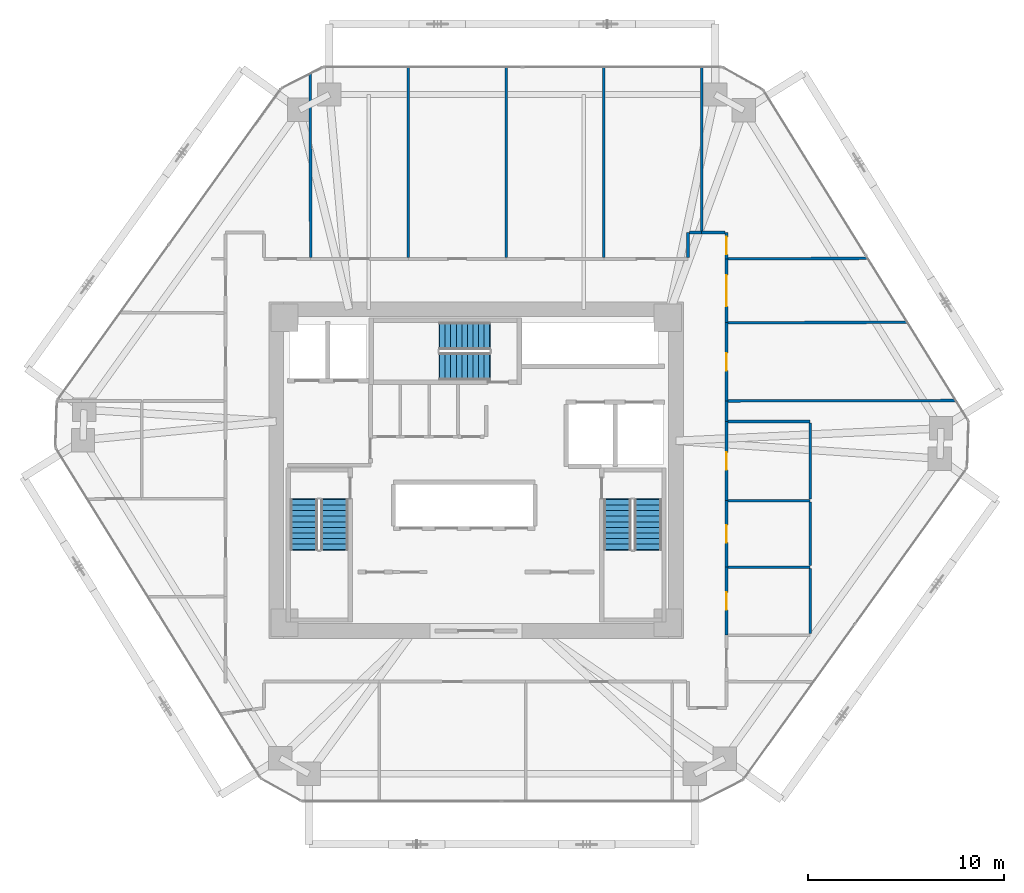
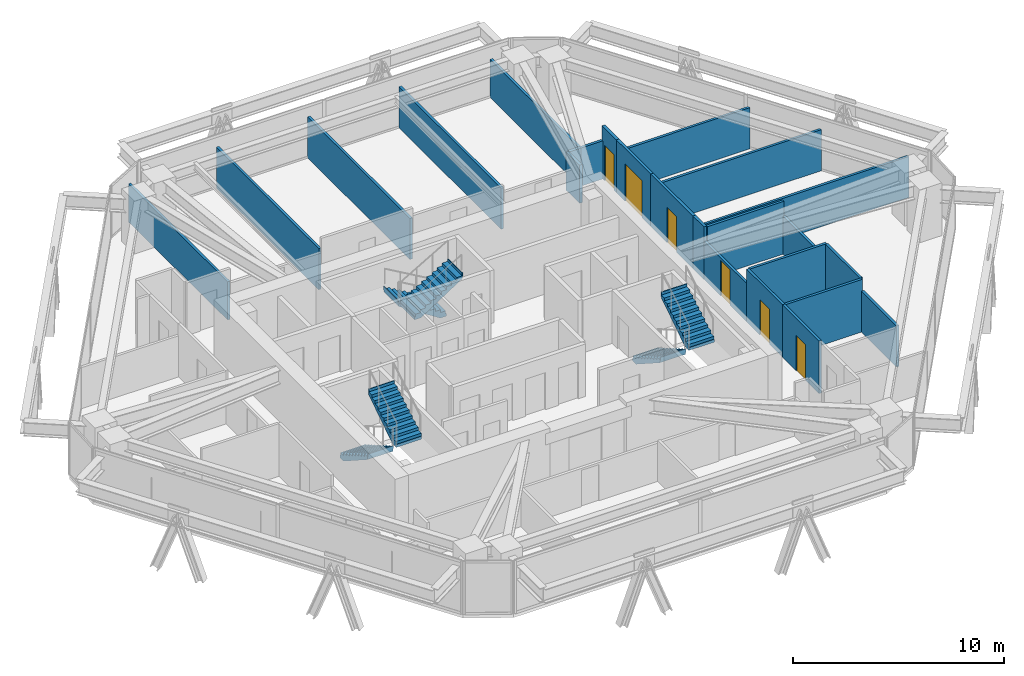
# One storey, part 15 of 16: 24 walls, 6 doors, 6 stair flights, 6 openings, 3 elements without a shape of their own.
"""IFC4 building model written with IfcOpenShell, lengths in metres."""

from ifc_helpers import new_model, si_unit, direction, frame, frame_2d, origin, place, context, subcontext, project, spatial, polyline, rectangle, outline, extrude, source, transform, mapped, material, layer, layer_set, type_object, type_shapes, element, fill, aggregate, save


model = new_model("IFC4")

# Units and contexts
model_context = context("Model", 3, precision=1e-05, world=origin(), true_north=direction((0.0, 1.0)))
body_context = subcontext(model_context, "Body", "Model", "MODEL_VIEW")
ifc_project = project(units=[si_unit("LENGTHUNIT", "METRE"), si_unit("AREAUNIT", "SQUARE_METRE"), si_unit("VOLUMEUNIT", "CUBIC_METRE"), si_unit("PLANEANGLEUNIT", "RADIAN"), si_unit("MASSUNIT", "GRAM", prefix="KILO")], contexts=[model_context])

# Site, building, storey
site_placement = place(None, origin())
site = spatial("IfcSite", under=ifc_project, at=site_placement, CompositionType="ELEMENT")
building_placement = place(site_placement, origin())
building = spatial("IfcBuilding", under=site, at=building_placement, Name="Durnholm Broadcast Tower", CompositionType="ELEMENT")
storey_placement = place(building_placement, frame((0.0, 0.0, 123.89990234375)))
storey = spatial("IfcBuildingStorey", under=building, at=storey_placement, Name="L33", CompositionType="ELEMENT", Elevation=123.89990234375)

# Walls
ifc_material_1 = material(Name="Gypsum Metal Stud Partition", Category="concrete")
ifc_layer_1 = layer(ifc_material_1, 0.135009765625)
ifc_layer_set_1 = layer_set([ifc_layer_1], Name="Gypsum Metal Stud Partition")
wall_type_1 = type_object("IfcWallType", Name="WALL-PART-135", PredefinedType="PARTITIONING", material=ifc_layer_set_1)
wall_1_placement = place(storey_placement, frame((-8.478271484375, 20.28564453125, 0.0), z_axis=(0.0, 0.0, 1.0), x_axis=(0.001922623691, -0.999998151757, 0.0)))
element("IfcWall", 1, at=wall_1_placement, inside=storey, type_object=wall_type_1, Name="L33 room dividing partition 11.12", PredefinedType="PARTITIONING", context=body_context, shape_type="SweptSolid", body=[
    extrude(rectangle(XDim=9.396728515625, YDim=0.135009765625, at=frame_2d((4.6982421875, 0.0))), origin(), (0.0, 0.0, 1.0), 2.212158203125),
])
for number, where, z_axis, x_axis, name in (
    (2, (-3.4599609375, 20.614990234375, 0.0), (0.0, 0.0, 1.0), (0.0, -1.0, 0.0), "L33 room dividing partition 12.13"),
    (3, (1.5400390625, 20.614990234375, 0.0), (0.0, 0.0, 1.0), (0.0, -1.0, 0.0), "L33 room dividing partition 13.14"),
    (4, (6.5400390625, 20.614990234375, 0.0), (0.0, 0.0, 1.0), (0.0, -1.0, 0.0), "L33 room dividing partition 14.15"),
):
    element("IfcWall", number, at=place(storey_placement, frame(where, z_axis=z_axis, x_axis=x_axis)), inside=storey, type_object=wall_type_1, Name=name, PredefinedType="PARTITIONING", context=body_context, shape_type="SweptSolid", body=[
        extrude(rectangle(XDim=9.72607421875, YDim=0.135009765625, at=frame_2d((4.863037109375, 0.0))), origin(), (0.0, 0.0, 1.0), 2.380126953125),
    ])
wall_2_placement = place(storey_placement, frame((11.5400390625, 20.614990234375, 0.0), z_axis=(0.0, 0.0, 1.0), x_axis=(0.0, -1.0, 0.0)))
element("IfcWall", 5, at=wall_2_placement, inside=storey, type_object=wall_type_1, Name="L33 room dividing partition 15.16", PredefinedType="PARTITIONING", context=body_context, shape_type="SweptSolid", body=[
    extrude(rectangle(XDim=8.3759765625, YDim=0.135009765625, at=frame_2d((4.18798828125, 0.0))), origin(), (0.0, 0.0, 1.0), 2.212158203125),
])
wall_3_placement = place(storey_placement, frame((20.03515625, 10.8310546875, 0.0), z_axis=(0.0, 0.0, 1.0), x_axis=(-0.999995783715, -0.002903885812, 0.0)))
element("IfcWall", 6, at=wall_3_placement, inside=storey, type_object=wall_type_1, Name="L33 room dividing partition 16.29", PredefinedType="PARTITIONING", context=body_context, shape_type="SweptSolid", body=[
    extrude(rectangle(XDim=7.146240234375, YDim=0.135009765625, at=frame_2d((3.5732421875, 0.0))), origin(), (0.0, 0.0, 1.0), 2.380126953125),
])
wall_4_placement = place(storey_placement, frame((12.888916015625, 3.5400390625, 0.0), z_axis=(0.0, 0.0, 1.0), x_axis=(0.999998377575, 0.001801345995, 0.0)))
element("IfcWall", 7, at=wall_4_placement, inside=storey, type_object=wall_type_1, Name="L33 room dividing partition 27.28", PredefinedType="PARTITIONING", context=body_context, shape_type="SweptSolid", body=[
    extrude(rectangle(XDim=11.65576171875, YDim=0.135009765625, at=frame_2d((5.827880859375, 0.0))), origin(), (0.0, 0.0, 1.0), 2.380126953125),
])
wall_5_placement = place(storey_placement, frame((12.888916015625, 7.540283203125, 0.0), z_axis=(0.0, 0.0, 1.0), x_axis=(0.99999744191, 0.002261895808, 0.0)))
element("IfcWall", 8, at=wall_5_placement, inside=storey, type_object=wall_type_1, Name="L33 room dividing partition 28.29", PredefinedType="PARTITIONING", context=body_context, shape_type="SweptSolid", body=[
    extrude(rectangle(XDim=9.174560546875, YDim=0.135009765625, at=frame_2d((4.58740234375, 0.0))), origin(), (0.0, 0.0, 1.0), 2.380126953125),
])
ifc_material_2 = material(Name="Acoustic Gypsum Stud Partition", Category="concrete")
ifc_layer_2 = layer(ifc_material_2, 0.14990234375)
ifc_layer_set_2 = layer_set([ifc_layer_2], Name="Acoustic Gypsum Stud Partition")
wall_type_2 = type_object("IfcWallType", Name="WALL-PART-150", PredefinedType="PARTITIONING", material=ifc_layer_set_2)
wall_6_placement = place(storey_placement, frame((10.840087890625, 12.159912109375, 0.0), z_axis=(0.0, 0.0, 1.0), x_axis=(0.0, -1.0, 0.0)))
element("IfcWall", 9, at=wall_6_placement, inside=storey, type_object=wall_type_2, Name="L33 Acoustic Meeting Room 1 corridor partition", PredefinedType="PARTITIONING", context=body_context, shape_type="SweptSolid", body=[
    extrude(rectangle(XDim=1.27099609375, YDim=0.14990234375, at=frame_2d((0.635498046875, 0.0))), origin(), (0.0, 0.0, 1.0), 2.212158203125),
])
wall_7_placement = place(storey_placement, frame((11.5400390625, 12.159912109375, 0.0), z_axis=(0.0, 0.0, 1.0), x_axis=(-1.0, 0.0, 0.0)))
element("IfcWall", 10, at=wall_7_placement, inside=storey, type_object=wall_type_2, Name="L33 Acoustic Meeting Room 1 corridor partition", PredefinedType="PARTITIONING", context=body_context, shape_type="SweptSolid", body=[
    extrude(rectangle(XDim=0.62109375, YDim=0.14990234375, at=frame_2d((0.310546875, 0.0))), origin(), (0.0, 0.0, 1.0), 2.212158203125),
])

# Wall, opening, door
wall_8_placement = place(storey_placement, frame((12.81005859375, 10.81005859375, 0.0), z_axis=(0.0, 0.0, 1.0), x_axis=(0.0, 1.0, 0.0)))
wall_8 = element("IfcWall", 11, at=wall_8_placement, inside=storey, type_object=wall_type_2, Name="L33 Open Plan Broadcast Workspace 1 corridor partition", PredefinedType="PARTITIONING", context=body_context, shape_type="SweptSolid", body=[
    extrude(rectangle(XDim=1.349853515625, YDim=0.14990234375, at=frame_2d((0.6748046875, 0.0))), origin(), (0.0, 0.0, 1.0), 3.045166015625),
])
opening_1_placement = place(wall_8_placement, frame((0.22509765625, 0.0, 0.0)))
opening_1 = element("IfcOpeningElement", 12, at=opening_1_placement, cuts=wall_8, Name="Opening DW-90L", PredefinedType="OPENING", context=body_context, shape_type="SweptSolid", body=[
    extrude(rectangle(XDim=0.89990234375, YDim=2.050048828125, at=frame_2d((0.449951171875, 1.02490234375))), frame((0.0, 0.0849609375, 0.0), z_axis=(0.0, -1.0, 0.0), x_axis=(1.0, 0.0, 0.0)), (0.0, 0.0, 1.0), 0.169921875),
])
ifc_material_3 = material(Name="Laminate Restroom Door", Category="steel")
ifc_layer_3 = layer(ifc_material_3, 0.050048828125)
ifc_layer_set_3 = layer_set([ifc_layer_3], Name="Laminate Restroom Door")
door_type_1 = type_object("IfcDoorType", Name="DOOR-WC-900L", OperationType="NOTDEFINED", PredefinedType="DOOR", material=ifc_layer_set_3)
shared_shape_1 = source(origin(), body_context, "Body", "SweptSolid", [
    extrude(rectangle(XDim=0.89990234375, YDim=2.050048828125, at=frame_2d((0.449951171875, 1.02490234375))), frame((0.0, 0.02490234375, 0.0), z_axis=(0.0, -1.0, 0.0), x_axis=(1.0, 0.0, 0.0)), (0.0, 0.0, 1.0), 0.050048828125),
])
type_shapes(door_type_1, [shared_shape_1])
door_1_placement = place(opening_1_placement, origin())
door_1 = element("IfcDoor", 13, at=door_1_placement, inside=storey, type_object=door_type_1, Name="L33 Open Plan Broadcast Workspace 1 entrance door", OperationType="SINGLE_SWING_LEFT", OverallHeight=2.050048828125, OverallWidth=0.89990234375, PredefinedType="DOOR", context=body_context, shape_type="MappedRepresentation", body=[
    mapped(shared_shape_1, transform((0.0, 0.0, 0.0), x_axis=(1.0, 0.0, 0.0), y_axis=(0.0, 1.0, 0.0), z_axis=(0.0, 0.0, 1.0), scale=1.0)),
])
fill(opening_1, door_1)

# Walls
wall_9_placement = place(storey_placement, frame((12.73095703125, 12.159912109375, 0.0), z_axis=(0.0, 0.0, 1.0), x_axis=(-1.0, 0.0, 0.0)))
element("IfcWall", 14, at=wall_9_placement, inside=storey, type_object=wall_type_2, Name="L33 Open Plan Broadcast Workspace 1 corridor partition", PredefinedType="PARTITIONING", context=body_context, shape_type="SweptSolid", body=[
    extrude(rectangle(XDim=1.19091796875, YDim=0.14990234375, at=frame_2d((0.595458984375, 0.0))), origin(), (0.0, 0.0, 1.0), 2.212158203125),
])
wall_10_placement = place(storey_placement, frame((12.81005859375, 2.489990234375, 0.0), z_axis=(0.0, 0.0, 1.0), x_axis=(0.0, 1.0, 0.0)))
element("IfcWall", 15, at=wall_10_placement, inside=storey, type_object=wall_type_2, Name="L33 Open Plan Broadcast Workspace 6 corridor partition", PredefinedType="PARTITIONING", context=body_context, shape_type="SweptSolid", body=[
    extrude(rectangle(XDim=1.050048828125, YDim=0.14990234375, at=frame_2d((0.52490234375, 0.0))), origin(), (0.0, 0.0, 1.0), 3.045166015625),
])

# Wall, opening, door
wall_11_placement = place(storey_placement, frame((12.81005859375, 3.5400390625, 0.0), z_axis=(0.0, 0.0, 1.0), x_axis=(0.0, 1.0, 0.0)))
wall_11 = element("IfcWall", 16, at=wall_11_placement, inside=storey, type_object=wall_type_2, Name="L33 Music Library Store corridor partition", PredefinedType="PARTITIONING", context=body_context, shape_type="SweptSolid", body=[
    extrude(rectangle(XDim=4.0, YDim=0.14990234375, at=frame_2d((2.0, 0.0))), origin(), (0.0, 0.0, 1.0), 3.045166015625),
])
opening_2_placement = place(wall_11_placement, frame((1.550048828125, 0.0, 0.0)))
opening_2 = element("IfcOpeningElement", 17, at=opening_2_placement, cuts=wall_11, Name="Opening DC-60R", PredefinedType="OPENING", context=body_context, shape_type="SweptSolid", body=[
    extrude(rectangle(XDim=0.89990234375, YDim=2.050048828125, at=frame_2d((0.449951171875, 1.02490234375))), frame((0.0, 0.0849609375, 0.0), z_axis=(0.0, -1.0, 0.0), x_axis=(1.0, 0.0, 0.0)), (0.0, 0.0, 1.0), 0.169921875),
])
ifc_material_4 = material(Name="Fire-Rated Core Service Door", Category="steel")
ifc_layer_4 = layer(ifc_material_4, 0.050048828125)
ifc_layer_set_4 = layer_set([ifc_layer_4], Name="Fire-Rated Core Service Door")
door_type_2 = type_object("IfcDoorType", Name="DOOR-CORE-FD60-R", OperationType="NOTDEFINED", PredefinedType="DOOR", material=ifc_layer_set_4)
shared_shape_2 = source(origin(), body_context, "Body", "SweptSolid", [
    extrude(rectangle(XDim=0.89990234375, YDim=2.050048828125, at=frame_2d((0.449951171875, 1.02490234375))), frame((0.0, 0.02490234375, 0.0), z_axis=(0.0, -1.0, 0.0), x_axis=(1.0, 0.0, 0.0)), (0.0, 0.0, 1.0), 0.050048828125),
])
type_shapes(door_type_2, [shared_shape_2])
door_2_placement = place(opening_2_placement, origin())
door_2 = element("IfcDoor", 18, at=door_2_placement, inside=storey, type_object=door_type_2, Name="L33 Music Library Store entrance door", OperationType="SINGLE_SWING_RIGHT", OverallHeight=2.050048828125, OverallWidth=0.89990234375, PredefinedType="DOOR", context=body_context, shape_type="MappedRepresentation", body=[
    mapped(shared_shape_2, transform((0.0, 0.0, 0.0), x_axis=(1.0, 0.0, 0.0), y_axis=(0.0, 1.0, 0.0), z_axis=(0.0, 0.0, 1.0), scale=1.0)),
])
fill(opening_2, door_2)

wall_12_placement = place(storey_placement, frame((12.81005859375, 7.5400390625, 0.0), z_axis=(0.0, 0.0, 1.0), x_axis=(0.0, 1.0, 0.0)))
wall_12 = element("IfcWall", 19, at=wall_12_placement, inside=storey, type_object=wall_type_2, Name="L33 Radio Broadcast Hall corridor partition", PredefinedType="PARTITIONING", context=body_context, shape_type="SweptSolid", body=[
    extrude(rectangle(XDim=3.27001953125, YDim=0.14990234375, at=frame_2d((1.635009765625, 0.0))), origin(), (0.0, 0.0, 1.0), 3.045166015625),
])
opening_3_placement = place(wall_12_placement, frame((0.8349609375, 0.0, 0.0)))
opening_3 = element("IfcOpeningElement", 20, at=opening_3_placement, cuts=wall_12, Name="Opening DST-160", PredefinedType="OPENING", context=body_context, shape_type="SweptSolid", body=[
    extrude(rectangle(XDim=1.60009765625, YDim=2.14990234375, at=frame_2d((0.800048828125, 1.074951171875))), frame((0.0, 0.0849609375, 0.0), z_axis=(0.0, -1.0, 0.0), x_axis=(1.0, 0.0, 0.0)), (0.0, 0.0, 1.0), 0.169921875),
])
ifc_material_5 = material(Name="Acoustic Broadcast Studio Sound-Lock Door", Category="steel")
ifc_layer_5 = layer(ifc_material_5, 0.050048828125)
ifc_layer_set_5 = layer_set([ifc_layer_5], Name="Acoustic Broadcast Studio Sound-Lock Door")
door_type_3 = type_object("IfcDoorType", Name="DOOR-STU-1600", OperationType="DOUBLE_DOOR_SINGLE_SWING", PredefinedType="DOOR", material=ifc_layer_set_5)
shared_shape_3 = source(origin(), body_context, "Body", "SweptSolid", [
    extrude(rectangle(XDim=1.60009765625, YDim=2.14990234375, at=frame_2d((0.800048828125, 1.074951171875))), frame((0.0, 0.02490234375, 0.0), z_axis=(0.0, -1.0, 0.0), x_axis=(1.0, 0.0, 0.0)), (0.0, 0.0, 1.0), 0.050048828125),
])
type_shapes(door_type_3, [shared_shape_3])
door_3_placement = place(opening_3_placement, origin())
door_3 = element("IfcDoor", 21, at=door_3_placement, inside=storey, type_object=door_type_3, Name="L33 Radio Broadcast Hall entrance door", OperationType="DOUBLE_DOOR_SINGLE_SWING", OverallHeight=2.14990234375, OverallWidth=1.60009765625, PredefinedType="DOOR", context=body_context, shape_type="MappedRepresentation", body=[
    mapped(shared_shape_3, transform((0.0, 0.0, 0.0), x_axis=(1.0, 0.0, 0.0), y_axis=(0.0, 1.0, 0.0), z_axis=(0.0, 0.0, 1.0), scale=1.0)),
])
fill(opening_3, door_3)

ifc_material_6 = material(Name="Moisture-Resistant Tile Partition", Category="concrete")
ifc_layer_6 = layer(ifc_material_6, 0.139892578125)
ifc_layer_set_6 = layer_set([ifc_layer_6], Name="Moisture-Resistant Tile Partition")
wall_type_3 = type_object("IfcWallType", Name="WALL-WC-140", PredefinedType="PARTITIONING", material=ifc_layer_set_6)
wall_13_placement = place(storey_placement, frame((12.81005859375, -8.43994140625, 0.0), z_axis=(0.0, 0.0, 1.0), x_axis=(0.0, 1.0, 0.0)))
wall_13 = element("IfcWall", 22, at=wall_13_placement, inside=storey, type_object=wall_type_3, Name="L33 Men's Restroom corridor partition", PredefinedType="PARTITIONING", context=body_context, shape_type="SweptSolid", body=[
    extrude(rectangle(XDim=3.47998046875, YDim=0.139892578125, at=frame_2d((1.739990234375, 0.0))), origin(), (0.0, 0.0, 1.0), 3.045166015625),
])
opening_4_placement = place(wall_13_placement, frame((1.2900390625, 0.0, 0.0)))
opening_4 = element("IfcOpeningElement", 23, at=opening_4_placement, cuts=wall_13, Name="Opening DW-90L", PredefinedType="OPENING", context=body_context, shape_type="SweptSolid", body=[
    extrude(rectangle(XDim=0.89990234375, YDim=2.050048828125, at=frame_2d((0.449951171875, 1.02490234375))), frame((0.0, 0.080078125, 0.0), z_axis=(0.0, -1.0, 0.0), x_axis=(1.0, 0.0, 0.0)), (0.0, 0.0, 1.0), 0.159912109375),
])
door_4_placement = place(opening_4_placement, origin())
door_4 = element("IfcDoor", 24, at=door_4_placement, inside=storey, type_object=door_type_1, Name="L33 Men's Restroom entrance door", OperationType="SINGLE_SWING_LEFT", OverallHeight=2.050048828125, OverallWidth=0.89990234375, PredefinedType="DOOR", context=body_context, shape_type="MappedRepresentation", body=[
    mapped(shared_shape_1, transform((0.0, 0.0, 0.0), x_axis=(1.0, 0.0, 0.0), y_axis=(0.0, 1.0, 0.0), z_axis=(0.0, 0.0, 1.0), scale=1.0)),
])
fill(opening_4, door_4)

wall_14_placement = place(storey_placement, frame((12.81005859375, -4.9599609375, 0.0), z_axis=(0.0, 0.0, 1.0), x_axis=(0.0, 1.0, 0.0)))
wall_14 = element("IfcWall", 25, at=wall_14_placement, inside=storey, type_object=wall_type_3, Name="L33 Women's Restroom corridor partition", PredefinedType="PARTITIONING", context=body_context, shape_type="SweptSolid", body=[
    extrude(rectangle(XDim=3.39990234375, YDim=0.139892578125, at=frame_2d((1.699951171875, 0.0))), origin(), (0.0, 0.0, 1.0), 3.045166015625),
])
opening_5_placement = place(wall_14_placement, frame((1.25, 0.0, 0.0)))
opening_5 = element("IfcOpeningElement", 26, at=opening_5_placement, cuts=wall_14, Name="Opening DW-90R", PredefinedType="OPENING", context=body_context, shape_type="SweptSolid", body=[
    extrude(rectangle(XDim=0.89990234375, YDim=2.050048828125, at=frame_2d((0.449951171875, 1.02490234375))), frame((0.0, 0.080078125, 0.0), z_axis=(0.0, -1.0, 0.0), x_axis=(1.0, 0.0, 0.0)), (0.0, 0.0, 1.0), 0.159912109375),
])
ifc_layer_7 = layer(ifc_material_3, 0.050048828125)
ifc_layer_set_7 = layer_set([ifc_layer_7], Name="Laminate Restroom Door")
door_type_4 = type_object("IfcDoorType", Name="DOOR-WC-900R", OperationType="NOTDEFINED", PredefinedType="DOOR", material=ifc_layer_set_7)
shared_shape_4 = source(origin(), body_context, "Body", "SweptSolid", [
    extrude(rectangle(XDim=0.89990234375, YDim=2.050048828125, at=frame_2d((0.449951171875, 1.02490234375))), frame((0.0, 0.02490234375, 0.0), z_axis=(0.0, -1.0, 0.0), x_axis=(1.0, 0.0, 0.0)), (0.0, 0.0, 1.0), 0.050048828125),
])
type_shapes(door_type_4, [shared_shape_4])
door_5_placement = place(opening_5_placement, origin())
door_5 = element("IfcDoor", 27, at=door_5_placement, inside=storey, type_object=door_type_4, Name="L33 Women's Restroom entrance door", OperationType="SINGLE_SWING_RIGHT", OverallHeight=2.050048828125, OverallWidth=0.89990234375, PredefinedType="DOOR", context=body_context, shape_type="MappedRepresentation", body=[
    mapped(shared_shape_4, transform((0.0, 0.0, 0.0), x_axis=(1.0, 0.0, 0.0), y_axis=(0.0, 1.0, 0.0), z_axis=(0.0, 0.0, 1.0), scale=1.0)),
])
fill(opening_5, door_5)

wall_15_placement = place(storey_placement, frame((12.81005859375, -1.56005859375, 0.0), z_axis=(0.0, 0.0, 1.0), x_axis=(0.0, 1.0, 0.0)))
wall_15 = element("IfcWall", 28, at=wall_15_placement, inside=storey, type_object=wall_type_3, Name="L33 Accessible Restroom corridor partition", PredefinedType="PARTITIONING", context=body_context, shape_type="SweptSolid", body=[
    extrude(rectangle(XDim=4.050048828125, YDim=0.139892578125, at=frame_2d((2.02490234375, 0.0))), origin(), (0.0, 0.0, 1.0), 2.212158203125),
])
opening_6_placement = place(wall_15_placement, frame((1.574951171875, 0.0, 0.0)))
opening_6 = element("IfcOpeningElement", 29, at=opening_6_placement, cuts=wall_15, Name="Opening DW-90L", PredefinedType="OPENING", context=body_context, shape_type="SweptSolid", body=[
    extrude(rectangle(XDim=0.89990234375, YDim=2.050048828125, at=frame_2d((0.449951171875, 1.02490234375))), frame((0.0, 0.080078125, 0.0), z_axis=(0.0, -1.0, 0.0), x_axis=(1.0, 0.0, 0.0)), (0.0, 0.0, 1.0), 0.159912109375),
])
door_6_placement = place(opening_6_placement, origin())
door_6 = element("IfcDoor", 30, at=door_6_placement, inside=storey, type_object=door_type_1, Name="L33 Accessible Restroom entrance door", OperationType="SINGLE_SWING_LEFT", OverallHeight=2.050048828125, OverallWidth=0.89990234375, PredefinedType="DOOR", context=body_context, shape_type="MappedRepresentation", body=[
    mapped(shared_shape_1, transform((0.0, 0.0, 0.0), x_axis=(1.0, 0.0, 0.0), y_axis=(0.0, 1.0, 0.0), z_axis=(0.0, 0.0, 1.0), scale=1.0)),
])
fill(opening_6, door_6)

# Walls
wall_16_placement = place(storey_placement, frame((12.884033203125, -4.9599609375, 0.0), z_axis=(0.0, 0.0, 1.0), x_axis=(1.0, 0.0, 0.0)))
element("IfcWall", 31, at=wall_16_placement, inside=storey, type_object=wall_type_3, Name="L33 room dividing partition 8.9", PredefinedType="PARTITIONING", context=body_context, shape_type="SweptSolid", body=[
    extrude(rectangle(XDim=4.2060546875, YDim=0.139892578125, at=frame_2d((2.10302734375, 0.0))), origin(), (0.0, 0.0, 1.0), 3.045166015625),
])
wall_17_placement = place(storey_placement, frame((17.090087890625, -5.033935546875, 0.0), z_axis=(0.0, 0.0, 1.0), x_axis=(0.0, -1.0, 0.0)))
element("IfcWall", 32, at=wall_17_placement, inside=storey, type_object=wall_type_3, Name="L33 room dividing partition 8.27", PredefinedType="PARTITIONING", context=body_context, shape_type="SweptSolid", body=[
    extrude(rectangle(XDim=3.33203125, YDim=0.139892578125, at=frame_2d((1.666015625, 0.0))), origin(), (0.0, 0.0, 1.0), 2.380126953125),
])
wall_18_placement = place(storey_placement, frame((12.884033203125, -1.56005859375, 0.0), z_axis=(0.0, 0.0, 1.0), x_axis=(1.0, 0.0, 0.0)))
element("IfcWall", 33, at=wall_18_placement, inside=storey, type_object=wall_type_3, Name="L33 room dividing partition 9.10", PredefinedType="PARTITIONING", context=body_context, shape_type="SweptSolid", body=[
    extrude(rectangle(XDim=4.2060546875, YDim=0.139892578125, at=frame_2d((2.10302734375, 0.0))), origin(), (0.0, 0.0, 1.0), 3.045166015625),
])
wall_19_placement = place(storey_placement, frame((17.090087890625, -1.634033203125, 0.0), z_axis=(0.0, 0.0, 1.0), x_axis=(0.0, -1.0, 0.0)))
element("IfcWall", 34, at=wall_19_placement, inside=storey, type_object=wall_type_3, Name="L33 room dividing partition 9.27", PredefinedType="PARTITIONING", context=body_context, shape_type="SweptSolid", body=[
    extrude(rectangle(XDim=3.251953125, YDim=0.139892578125, at=frame_2d((1.6259765625, 0.0))), origin(), (0.0, 0.0, 1.0), 3.045166015625),
])
wall_20_placement = place(storey_placement, frame((12.888916015625, 2.489990234375, 0.0), z_axis=(0.0, 0.0, 1.0), x_axis=(1.0, 0.0, 0.0)))
element("IfcWall", 35, at=wall_20_placement, inside=storey, type_object=wall_type_3, Name="L33 room dividing partition 10.27", PredefinedType="PARTITIONING", context=body_context, shape_type="SweptSolid", body=[
    extrude(rectangle(XDim=4.201171875, YDim=0.139892578125, at=frame_2d((2.1005859375, 0.0))), origin(), (0.0, 0.0, 1.0), 3.045166015625),
])
wall_21_placement = place(storey_placement, frame((17.090087890625, 2.416015625, 0.0), z_axis=(0.0, 0.0, 1.0), x_axis=(0.0, -1.0, 0.0)))
element("IfcWall", 36, at=wall_21_placement, inside=storey, type_object=wall_type_3, Name="L33 room dividing partition 10.27", PredefinedType="PARTITIONING", context=body_context, shape_type="SweptSolid", body=[
    extrude(rectangle(XDim=3.902099609375, YDim=0.139892578125, at=frame_2d((1.951171875, 0.0))), origin(), (0.0, 0.0, 1.0), 2.212158203125),
])

# Stair, stair flights
ifc_material_7 = material(Name="Concrete C50/60", Category="concrete")
stair_type = type_object("IfcStairType", Name="STAIR-DL-20R1650", PredefinedType="HALF_TURN_STAIR", material=ifc_material_7)
stair_1_placement = place(storey_placement, origin())
stair_1 = element("IfcStair", 37, at=stair_1_placement, inside=storey, type_object=stair_type, Name="L33 ST-1", PredefinedType="HALF_TURN_STAIR")
stair_flight_type = type_object("IfcStairFlightType", Name="FLIGHT-DL-20R1650", PredefinedType="STRAIGHT", material=ifc_material_7)
stair_flight_1_placement = place(storey_placement, frame((-8.800048828125, -1.5, 0.0), z_axis=(0.0, 0.0, 1.0), x_axis=(0.0, -1.0, 0.0)))
stair_flight_1 = element("IfcStairFlight", 38, at=stair_flight_1_placement, type_object=stair_flight_type, Name="ST-1 flight 1", NumberOfRisers=10, NumberOfTreads=9, PredefinedType="STRAIGHT", RiserHeight=0.165, TreadLength=0.285, context=body_context, shape_type="SweptSolid", body=[
    extrude(outline(polyline([(-0.0400390625, -0.14990234375), (-0.0400390625, 0.0), (0.0, 0.0), (0.0, 0.1650390625), (0.284912109375, 0.1650390625), (0.284912109375, 0.330078125), (0.570068359375, 0.330078125), (0.570068359375, 0.4951171875), (0.85498046875, 0.4951171875), (0.85498046875, 0.659912109375), (1.139892578125, 0.659912109375), (1.139892578125, 0.824951171875), (1.425048828125, 0.824951171875), (1.425048828125, 0.989990234375), (1.7099609375, 0.989990234375), (1.7099609375, 1.155029296875), (1.9951171875, 1.155029296875), (1.9951171875, 1.320068359375), (2.280029296875, 1.320068359375), (2.280029296875, 1.485107421875), (2.56494140625, 1.485107421875), (2.56494140625, 1.64990234375), (2.60498046875, 1.64990234375), (2.60498046875, 1.5), (2.56494140625, 1.311767578125), (0.299072265625, -0.14990234375), (-0.0400390625, -0.14990234375)])), frame((0.0, 0.699951171875, 0.0), z_axis=(0.0, -1.0, 0.0), x_axis=(1.0, 0.0, 0.0)), (0.0, 0.0, 1.0), 1.39990234375),
])
stair_flight_2_placement = place(storey_placement, frame((-7.239990234375, -4.06494140625, 1.650146484375), z_axis=(0.0, 0.0, 1.0), x_axis=(0.0, 1.0, 0.0)))
stair_flight_2 = element("IfcStairFlight", 39, at=stair_flight_2_placement, type_object=stair_flight_type, Name="ST-1 flight 2", NumberOfRisers=10, NumberOfTreads=9, PredefinedType="STRAIGHT", RiserHeight=0.165, TreadLength=0.285, context=body_context, shape_type="SweptSolid", body=[
    extrude(outline(polyline([(-0.0400390625, -0.14990234375), (-0.0400390625, 0.0), (0.0, 0.0), (0.0, 0.1650390625), (0.284912109375, 0.1650390625), (0.284912109375, 0.330078125), (0.570068359375, 0.330078125), (0.570068359375, 0.4951171875), (0.85498046875, 0.4951171875), (0.85498046875, 0.659912109375), (1.139892578125, 0.659912109375), (1.139892578125, 0.824951171875), (1.425048828125, 0.824951171875), (1.425048828125, 0.989990234375), (1.7099609375, 0.989990234375), (1.7099609375, 1.155029296875), (1.9951171875, 1.155029296875), (1.9951171875, 1.320068359375), (2.280029296875, 1.320068359375), (2.280029296875, 1.485107421875), (2.56494140625, 1.485107421875), (2.56494140625, 1.64990234375), (2.60498046875, 1.64990234375), (2.60498046875, 1.5), (2.56494140625, 1.311767578125), (0.299072265625, -0.14990234375), (-0.0400390625, -0.14990234375)])), frame((0.0, 0.699951171875, 0.0), z_axis=(0.0, -1.0, 0.0), x_axis=(1.0, 0.0, 0.0)), (0.0, 0.0, 1.0), 1.39990234375),
])
aggregate(stair_1, [stair_flight_1, stair_flight_2])

stair_2_placement = place(storey_placement, origin())
stair_2 = element("IfcStair", 40, at=stair_2_placement, inside=storey, type_object=stair_type, Name="L33 ST-2", PredefinedType="HALF_TURN_STAIR")
stair_flight_3_placement = place(storey_placement, frame((7.239990234375, -1.5, 0.0), z_axis=(0.0, 0.0, 1.0), x_axis=(0.0, -1.0, 0.0)))
stair_flight_3 = element("IfcStairFlight", 41, at=stair_flight_3_placement, type_object=stair_flight_type, Name="ST-2 flight 1", NumberOfRisers=10, NumberOfTreads=9, PredefinedType="STRAIGHT", RiserHeight=0.165, TreadLength=0.285, context=body_context, shape_type="SweptSolid", body=[
    extrude(outline(polyline([(-0.0400390625, -0.14990234375), (-0.0400390625, 0.0), (0.0, 0.0), (0.0, 0.1650390625), (0.284912109375, 0.1650390625), (0.284912109375, 0.330078125), (0.570068359375, 0.330078125), (0.570068359375, 0.4951171875), (0.85498046875, 0.4951171875), (0.85498046875, 0.659912109375), (1.139892578125, 0.659912109375), (1.139892578125, 0.824951171875), (1.425048828125, 0.824951171875), (1.425048828125, 0.989990234375), (1.7099609375, 0.989990234375), (1.7099609375, 1.155029296875), (1.9951171875, 1.155029296875), (1.9951171875, 1.320068359375), (2.280029296875, 1.320068359375), (2.280029296875, 1.485107421875), (2.56494140625, 1.485107421875), (2.56494140625, 1.64990234375), (2.60498046875, 1.64990234375), (2.60498046875, 1.5), (2.56494140625, 1.311767578125), (0.299072265625, -0.14990234375), (-0.0400390625, -0.14990234375)])), frame((0.0, 0.699951171875, 0.0), z_axis=(0.0, -1.0, 0.0), x_axis=(1.0, 0.0, 0.0)), (0.0, 0.0, 1.0), 1.39990234375),
])
stair_flight_4_placement = place(storey_placement, frame((8.800048828125, -4.06494140625, 1.650146484375), z_axis=(0.0, 0.0, 1.0), x_axis=(0.0, 1.0, 0.0)))
stair_flight_4 = element("IfcStairFlight", 42, at=stair_flight_4_placement, type_object=stair_flight_type, Name="ST-2 flight 2", NumberOfRisers=10, NumberOfTreads=9, PredefinedType="STRAIGHT", RiserHeight=0.165, TreadLength=0.285, context=body_context, shape_type="SweptSolid", body=[
    extrude(outline(polyline([(-0.0400390625, -0.14990234375), (-0.0400390625, 0.0), (0.0, 0.0), (0.0, 0.1650390625), (0.284912109375, 0.1650390625), (0.284912109375, 0.330078125), (0.570068359375, 0.330078125), (0.570068359375, 0.4951171875), (0.85498046875, 0.4951171875), (0.85498046875, 0.659912109375), (1.139892578125, 0.659912109375), (1.139892578125, 0.824951171875), (1.425048828125, 0.824951171875), (1.425048828125, 0.989990234375), (1.7099609375, 0.989990234375), (1.7099609375, 1.155029296875), (1.9951171875, 1.155029296875), (1.9951171875, 1.320068359375), (2.280029296875, 1.320068359375), (2.280029296875, 1.485107421875), (2.56494140625, 1.485107421875), (2.56494140625, 1.64990234375), (2.60498046875, 1.64990234375), (2.60498046875, 1.5), (2.56494140625, 1.311767578125), (0.299072265625, -0.14990234375), (-0.0400390625, -0.14990234375)])), frame((0.0, 0.699951171875, 0.0), z_axis=(0.0, -1.0, 0.0), x_axis=(1.0, 0.0, 0.0)), (0.0, 0.0, 1.0), 1.39990234375),
])
aggregate(stair_2, [stair_flight_3, stair_flight_4])

stair_3_placement = place(storey_placement, origin())
stair_3 = element("IfcStair", 43, at=stair_3_placement, inside=storey, type_object=stair_type, Name="L33 ST-3", PredefinedType="HALF_TURN_STAIR")
stair_flight_5_placement = place(storey_placement, frame((0.699951171875, 6.860107421875, 0.0), z_axis=(0.0, 0.0, 1.0), x_axis=(-1.0, 0.0, 0.0)))
stair_flight_5 = element("IfcStairFlight", 44, at=stair_flight_5_placement, type_object=stair_flight_type, Name="ST-3 flight 1", NumberOfRisers=10, NumberOfTreads=9, PredefinedType="STRAIGHT", RiserHeight=0.165, TreadLength=0.285, context=body_context, shape_type="SweptSolid", body=[
    extrude(outline(polyline([(-0.0400390625, -0.14990234375), (-0.0400390625, 0.0), (0.0, 0.0), (0.0, 0.1650390625), (0.284912109375, 0.1650390625), (0.284912109375, 0.330078125), (0.570068359375, 0.330078125), (0.570068359375, 0.4951171875), (0.85498046875, 0.4951171875), (0.85498046875, 0.659912109375), (1.139892578125, 0.659912109375), (1.139892578125, 0.824951171875), (1.425048828125, 0.824951171875), (1.425048828125, 0.989990234375), (1.7099609375, 0.989990234375), (1.7099609375, 1.155029296875), (1.9951171875, 1.155029296875), (1.9951171875, 1.320068359375), (2.280029296875, 1.320068359375), (2.280029296875, 1.485107421875), (2.56494140625, 1.485107421875), (2.56494140625, 1.64990234375), (2.60498046875, 1.64990234375), (2.60498046875, 1.5), (2.56494140625, 1.311767578125), (0.299072265625, -0.14990234375), (-0.0400390625, -0.14990234375)])), frame((0.0, 0.699951171875, 0.0), z_axis=(0.0, -1.0, 0.0), x_axis=(1.0, 0.0, 0.0)), (0.0, 0.0, 1.0), 1.39990234375),
])
stair_flight_6_placement = place(storey_placement, frame((-1.864990234375, 5.300048828125, 1.650146484375), z_axis=(0.0, 0.0, 1.0), x_axis=(1.0, 0.0, 0.0)))
stair_flight_6 = element("IfcStairFlight", 45, at=stair_flight_6_placement, type_object=stair_flight_type, Name="ST-3 flight 2", NumberOfRisers=10, NumberOfTreads=9, PredefinedType="STRAIGHT", RiserHeight=0.165, TreadLength=0.285, context=body_context, shape_type="SweptSolid", body=[
    extrude(outline(polyline([(-0.0400390625, -0.14990234375), (-0.0400390625, 0.0), (0.0, 0.0), (0.0, 0.1650390625), (0.284912109375, 0.1650390625), (0.284912109375, 0.330078125), (0.570068359375, 0.330078125), (0.570068359375, 0.4951171875), (0.85498046875, 0.4951171875), (0.85498046875, 0.659912109375), (1.139892578125, 0.659912109375), (1.139892578125, 0.824951171875), (1.425048828125, 0.824951171875), (1.425048828125, 0.989990234375), (1.7099609375, 0.989990234375), (1.7099609375, 1.155029296875), (1.9951171875, 1.155029296875), (1.9951171875, 1.320068359375), (2.280029296875, 1.320068359375), (2.280029296875, 1.485107421875), (2.56494140625, 1.485107421875), (2.56494140625, 1.64990234375), (2.60498046875, 1.64990234375), (2.60498046875, 1.5), (2.56494140625, 1.311767578125), (0.299072265625, -0.14990234375), (-0.0400390625, -0.14990234375)])), frame((0.0, 0.699951171875, 0.0), z_axis=(0.0, -1.0, 0.0), x_axis=(1.0, 0.0, 0.0)), (0.0, 0.0, 1.0), 1.39990234375),
])
aggregate(stair_3, [stair_flight_5, stair_flight_6])

save(model, "model.ifc")
